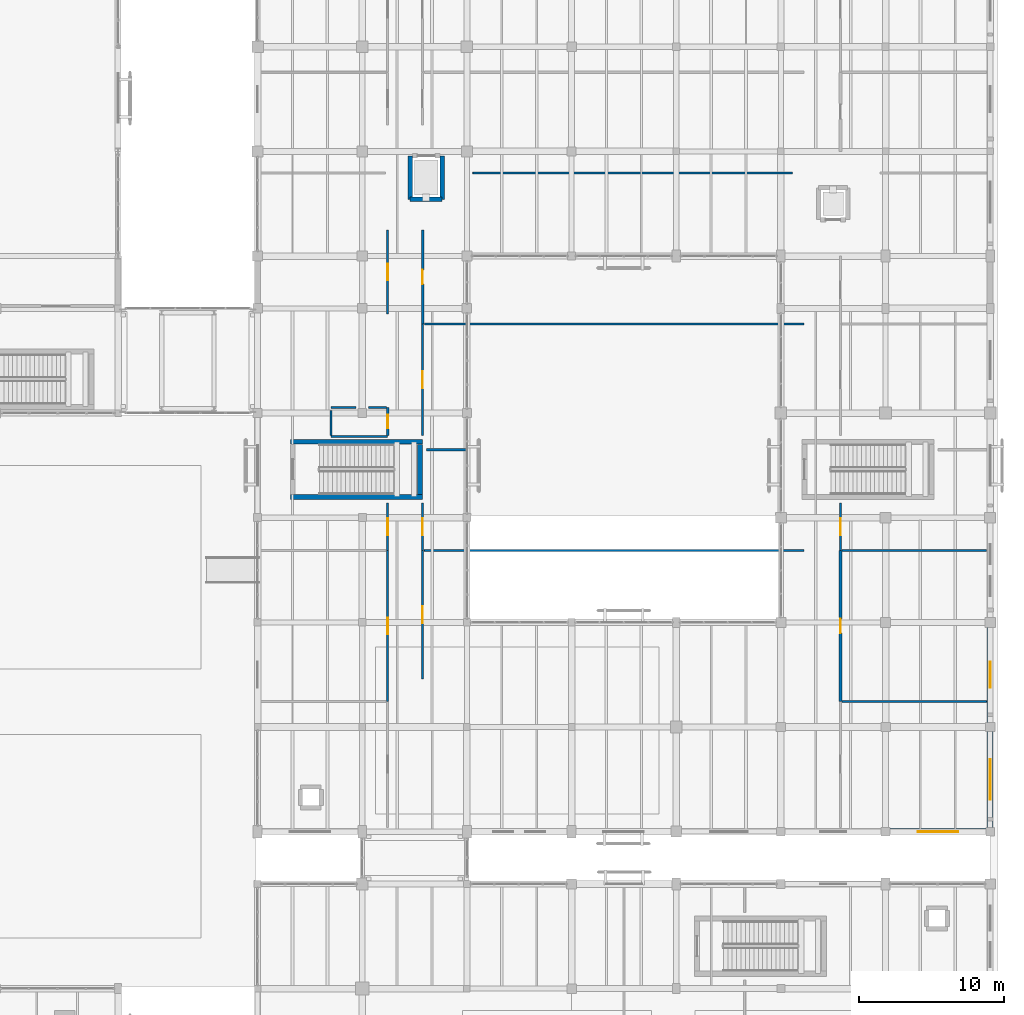
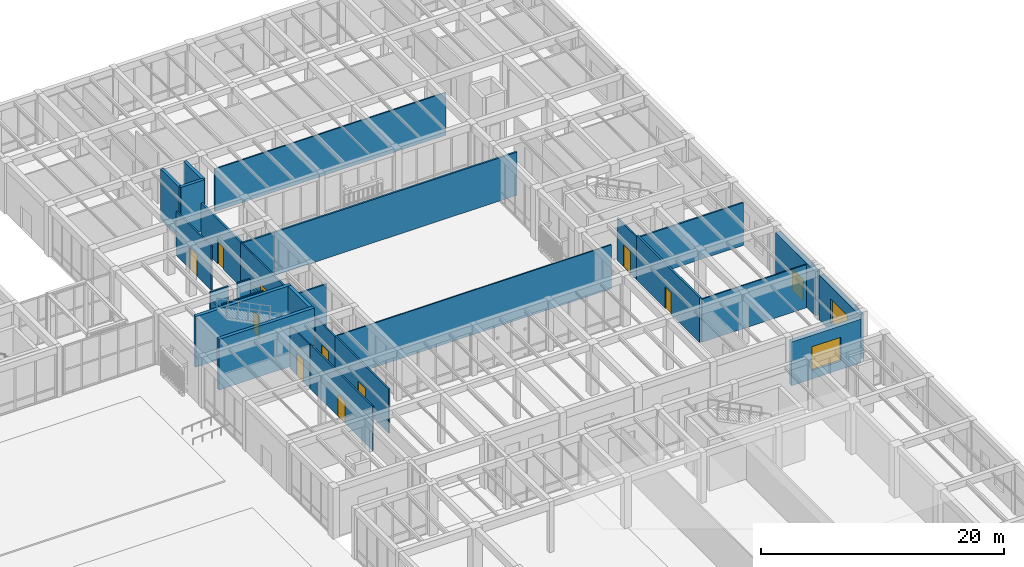
# One storey, part 131 of 169: 30 walls, 11 doors, 2 windows, 13 openings.
"""IFC4 building model written with IfcOpenShell, lengths in metres."""

from ifc_helpers import new_model, si_unit, direction, frame, frame_2d, origin, place, context, subcontext, project, spatial, rectangle, extrude, material, layer, layer_set, type_object, element, fill, save


model = new_model("IFC4")

# Units and contexts
model_context = context("Model", 3, precision=1e-05, world=origin(), true_north=direction((0.0, 1.0)))
body_context = subcontext(model_context, "Body", "Model", "MODEL_VIEW")
ifc_project = project(units=[si_unit("LENGTHUNIT", "METRE"), si_unit("AREAUNIT", "SQUARE_METRE"), si_unit("VOLUMEUNIT", "CUBIC_METRE"), si_unit("PLANEANGLEUNIT", "RADIAN"), si_unit("MASSUNIT", "GRAM", prefix="KILO")], contexts=[model_context])

# Site, building, storey
site_placement = place(None, origin())
site = spatial("IfcSite", under=ifc_project, at=site_placement, CompositionType="ELEMENT")
building_placement = place(site_placement, origin())
building = spatial("IfcBuilding", under=site, at=building_placement, Name="Mazaris Harbour Polytechnic", CompositionType="ELEMENT")
storey_placement = place(building_placement, origin())
storey = spatial("IfcBuildingStorey", under=building, at=storey_placement, Name="L00", CompositionType="ELEMENT", Elevation=0.0)

# Walls
ifc_material_1 = material(Name="Gypsum Board and Mineral Wool")
ifc_layer_1 = layer(ifc_material_1, 0.1201171875, Name="Gypsum Board and Mineral Wool")
ifc_layer_set_1 = layer_set([ifc_layer_1], Name="Gypsum Board and Mineral Wool")
wall_type_1 = type_object("IfcWallType", Name="Acoustic Stud Partition 120", PredefinedType="PARTITIONING", material=ifc_layer_set_1)
wall_1_placement = place(storey_placement, frame((133.8701171875, 66.14599609375, 0.0), z_axis=(0.0, 0.0, 1.0), x_axis=(1.0, 0.0, 0.0)))
element("IfcWall", 1, at=wall_1_placement, inside=storey, type_object=wall_type_1, Name="V5 L00 Partition 555", PredefinedType="PARTITIONING", context=body_context, shape_type="SweptSolid", body=[
    extrude(rectangle(XDim=26.10986328125, YDim=0.1201171875, at=frame_2d((13.054931640625, 0.0))), origin(), (0.0, 0.0, 1.0), 4.449951171875),
])
wall_2_placement = place(storey_placement, frame((137.205078125, 92.117919921875, 0.0), z_axis=(0.0, 0.0, 1.0), x_axis=(1.0, 0.0, 0.0)))
element("IfcWall", 2, at=wall_2_placement, inside=storey, type_object=wall_type_1, Name="V5 L00 Partition 562", PredefinedType="PARTITIONING", context=body_context, shape_type="SweptSolid", body=[
    extrude(rectangle(XDim=21.989990234375, YDim=0.1201171875, at=frame_2d((10.9951171875, 0.0))), origin(), (0.0, 0.0, 1.0), 4.300048828125),
])
wall_3_placement = place(storey_placement, frame((162.6201171875, 55.757080078125, 0.0), z_axis=(0.0, 0.0, 1.0), x_axis=(1.0, 0.0, 0.0)))
element("IfcWall", 3, at=wall_3_placement, inside=storey, type_object=wall_type_1, Name="V5 L00 Partition 567", PredefinedType="PARTITIONING", context=body_context, shape_type="SweptSolid", body=[
    extrude(rectangle(XDim=9.929931640625, YDim=0.1201171875, at=frame_2d((4.96484375, 0.0))), origin(), (0.0, 0.0, 1.0), 4.35009765625),
])
ifc_material_2 = material(Name="Double Gypsum and Mineral Wool")
ifc_layer_2 = layer(ifc_material_2, 0.14990234375, Name="Double Gypsum and Mineral Wool")
ifc_layer_set_2 = layer_set([ifc_layer_2], Name="Double Gypsum and Mineral Wool")
wall_type_2 = type_object("IfcWallType", Name="Classroom Acoustic Partition 150", PredefinedType="PARTITIONING", material=ifc_layer_set_2)
wall_4_placement = place(storey_placement, frame((134.0048828125, 73.072021484375, 0.0), z_axis=(0.0, 0.0, 1.0), x_axis=(1.0, 0.0, 0.0)))
element("IfcWall", 4, at=wall_4_placement, inside=storey, type_object=wall_type_2, Name="V5 L00 Partition 557", PredefinedType="PARTITIONING", context=body_context, shape_type="SweptSolid", body=[
    extrude(rectangle(XDim=2.875, YDim=0.14990234375, at=frame_2d((1.4375, 0.0))), origin(), (0.0, 0.0, 1.0), 4.39990234375),
])
wall_5_placement = place(storey_placement, frame((162.6201171875, 66.14599609375, 0.0), z_axis=(0.0, 0.0, 1.0), x_axis=(1.0, 0.0, 0.0)))
element("IfcWall", 5, at=wall_5_placement, inside=storey, type_object=wall_type_2, Name="V5 L00 Partition 569", PredefinedType="PARTITIONING", context=body_context, shape_type="SweptSolid", body=[
    extrude(rectangle(XDim=9.929931640625, YDim=0.14990234375, at=frame_2d((4.96484375, 0.0))), origin(), (0.0, 0.0, 1.0), 4.300048828125),
])

# Wall, opening, door
ifc_material_3 = material(Name="Terracotta Block and Plaster", Category="masonry")
ifc_layer_3 = layer(ifc_material_3, 0.179931640625, Name="Terracotta Block and Plaster")
ifc_layer_set_3 = layer_set([ifc_layer_3], Name="Terracotta Block and Plaster")
wall_type_3 = type_object("IfcWallType", Name="Corridor Fire Partition 180", PredefinedType="PARTITIONING", material=ifc_layer_set_3)
wall_6_placement = place(storey_placement, frame((133.75, 81.73388671875, 0.0), z_axis=(0.0, 0.0, 1.0), x_axis=(0.0, 1.0, 0.0)))
wall_6 = element("IfcWall", 6, at=wall_6_placement, inside=storey, type_object=wall_type_3, Name="V5 L00 Partition 560", PredefinedType="PARTITIONING", context=body_context, shape_type="SweptSolid", body=[
    extrude(rectangle(XDim=6.461181640625, YDim=0.179931640625, at=frame_2d((3.23046875, 0.0))), origin(), (0.0, 0.0, 1.0), 4.449951171875),
])
opening_1_placement = place(wall_6_placement, frame((2.740478515625, 0.0, 0.0)))
opening_1 = element("IfcOpeningElement", 7, at=opening_1_placement, cuts=wall_6, Name="Opening ID-08L", PredefinedType="OPENING", context=body_context, shape_type="SweptSolid", body=[
    extrude(rectangle(XDim=0.97998046875, YDim=2.179931640625, at=frame_2d((0.489990234375, 1.08984375))), frame((0.0, 0.099853515625, 0.0), z_axis=(0.0, -1.0, 0.0), x_axis=(1.0, 0.0, 0.0)), (0.0, 0.0, 1.0), 0.199951171875),
])
ifc_material_4 = material(Name="Solid Oak Timber", Category="wood")
door_type_1 = type_object("IfcDoorType", Name="Seminar Room Door LH 980x2180", OperationType="SINGLE_SWING_LEFT", PredefinedType="DOOR", material=ifc_material_4)
door_1_placement = place(opening_1_placement, origin())
door_1 = element("IfcDoor", 8, at=door_1_placement, inside=storey, type_object=door_type_1, Name="ID-0269", OperationType="SINGLE_SWING_LEFT", OverallHeight=2.179931640625, OverallWidth=0.97998046875, PredefinedType="DOOR", context=body_context, shape_type="SweptSolid", body=[
    extrude(rectangle(XDim=0.97998046875, YDim=2.179931640625, at=frame_2d((0.489990234375, 1.08984375))), frame((0.0, 0.02490234375, 0.0), z_axis=(0.0, -1.0, 0.0), x_axis=(1.0, 0.0, 0.0)), (0.0, 0.0, 1.0), 0.050048828125),
])
fill(opening_1, door_1)

wall_7_placement = place(storey_placement, frame((162.5, 55.761962890625, 0.0), z_axis=(0.0, 0.0, 1.0), x_axis=(0.0, 1.0, 0.0)))
wall_7 = element("IfcWall", 9, at=wall_7_placement, inside=storey, type_object=wall_type_3, Name="V5 L00 Partition 568", PredefinedType="PARTITIONING", context=body_context, shape_type="SweptSolid", body=[
    extrude(rectangle(XDim=10.384033203125, YDim=0.179931640625, at=frame_2d((5.19189453125, 0.0))), origin(), (0.0, 0.0, 1.0), 4.5),
])
opening_2_placement = place(wall_7_placement, frame((4.701904296875, 0.0, 0.0)))
opening_2 = element("IfcOpeningElement", 10, at=opening_2_placement, cuts=wall_7, Name="Opening ID-08L", PredefinedType="OPENING", context=body_context, shape_type="SweptSolid", body=[
    extrude(rectangle(XDim=0.97998046875, YDim=2.179931640625, at=frame_2d((0.489990234375, 1.08984375))), frame((0.0, 0.099853515625, 0.0), z_axis=(0.0, -1.0, 0.0), x_axis=(1.0, 0.0, 0.0)), (0.0, 0.0, 1.0), 0.199951171875),
])
door_2_placement = place(opening_2_placement, origin())
door_2 = element("IfcDoor", 11, at=door_2_placement, inside=storey, type_object=door_type_1, Name="ID-0273", OperationType="SINGLE_SWING_LEFT", OverallHeight=2.179931640625, OverallWidth=0.97998046875, PredefinedType="DOOR", context=body_context, shape_type="SweptSolid", body=[
    extrude(rectangle(XDim=0.97998046875, YDim=2.179931640625, at=frame_2d((0.489990234375, 1.08984375))), frame((0.0, 0.02490234375, 0.0), z_axis=(0.0, -1.0, 0.0), x_axis=(1.0, 0.0, 0.0)), (0.0, 0.0, 1.0), 0.050048828125),
])
fill(opening_2, door_2)

# Walls
ifc_material_5 = material(Name="Fireboard and Mineral Wool")
ifc_layer_4 = layer(ifc_material_5, 0.1650390625, Name="Fireboard and Mineral Wool")
ifc_layer_set_4 = layer_set([ifc_layer_4], Name="Fireboard and Mineral Wool")
wall_type_4 = type_object("IfcWallType", Name="Laboratory Rated Partition 165", PredefinedType="PARTITIONING", material=ifc_layer_set_4)
wall_8_placement = place(storey_placement, frame((133.8701171875, 81.72900390625, 0.0), z_axis=(0.0, 0.0, 1.0), x_axis=(1.0, 0.0, 0.0)))
element("IfcWall", 12, at=wall_8_placement, inside=storey, type_object=wall_type_4, Name="V5 L00 Partition 559", PredefinedType="PARTITIONING", context=body_context, shape_type="SweptSolid", body=[
    extrude(rectangle(XDim=3.009765625, YDim=0.1650390625, at=frame_2d((1.5048828125, 0.0))), origin(), (0.0, 0.0, 1.0), 4.35009765625),
])
wall_9_placement = place(storey_placement, frame((136.885009765625, 81.72900390625, 0.0), z_axis=(0.0, 0.0, 1.0), x_axis=(1.0, 0.0, 0.0)))
element("IfcWall", 13, at=wall_9_placement, inside=storey, type_object=wall_type_4, Name="V5 L00 Partition 561", PredefinedType="PARTITIONING", context=body_context, shape_type="SweptSolid", body=[
    extrude(rectangle(XDim=23.094970703125, YDim=0.1650390625, at=frame_2d((11.54736328125, 0.0))), origin(), (0.0, 0.0, 1.0), 4.35009765625),
])

# Wall, opening, door
ifc_material_6 = material(Name="Moisture-Resistant Blockwork", Category="masonry")
ifc_layer_5 = layer(ifc_material_6, 0.175048828125, Name="Moisture-Resistant Blockwork")
ifc_layer_set_5 = layer_set([ifc_layer_5], Name="Moisture-Resistant Blockwork")
wall_type_5 = type_object("IfcWallType", Name="Laboratory Wet Service Wall 175", PredefinedType="PLUMBINGWALL", material=ifc_layer_set_5)
wall_10_placement = place(storey_placement, frame((131.35009765625, 74.054931640625, 0.0), z_axis=(0.0, 0.0, 1.0), x_axis=(0.0, 1.0, 0.0)))
wall_10 = element("IfcWall", 14, at=wall_10_placement, inside=storey, type_object=wall_type_5, Name="V5 L00 Partition 542", PredefinedType="PLUMBINGWALL", context=body_context, shape_type="SweptSolid", body=[
    extrude(rectangle(XDim=1.925048828125, YDim=0.175048828125, at=frame_2d((0.96240234375, 0.0))), origin(), (0.0, 0.0, 1.0), 4.39990234375),
])
opening_3_placement = place(wall_10_placement, frame((0.512451171875, 0.0, 0.0)))
opening_3 = element("IfcOpeningElement", 15, at=opening_3_placement, cuts=wall_10, Name="Opening ID-07R", PredefinedType="OPENING", context=body_context, shape_type="SweptSolid", body=[
    extrude(rectangle(XDim=0.89990234375, YDim=2.10009765625, at=frame_2d((0.449951171875, 1.050048828125))), frame((0.0, 0.097412109375, 0.0), z_axis=(0.0, -1.0, 0.0), x_axis=(1.0, 0.0, 0.0)), (0.0, 0.0, 1.0), 0.195068359375),
])
ifc_material_7 = material(Name="Moisture-Resistant Laminate Timber", Category="wood")
door_type_2 = type_object("IfcDoorType", Name="Sanitary Room Door RH 900x2100", OperationType="SINGLE_SWING_RIGHT", PredefinedType="DOOR", material=ifc_material_7)
door_3_placement = place(opening_3_placement, origin())
door_3 = element("IfcDoor", 16, at=door_3_placement, inside=storey, type_object=door_type_2, Name="ID-0259", OperationType="SINGLE_SWING_RIGHT", OverallHeight=2.10009765625, OverallWidth=0.89990234375, PredefinedType="DOOR", context=body_context, shape_type="SweptSolid", body=[
    extrude(rectangle(XDim=0.89990234375, YDim=2.10009765625, at=frame_2d((0.449951171875, 1.050048828125))), frame((0.0, 0.02490234375, 0.0), z_axis=(0.0, -1.0, 0.0), x_axis=(1.0, 0.0, 0.0)), (0.0, 0.0, 1.0), 0.050048828125),
])
fill(opening_3, door_3)

# Wall, opening, window
ifc_material_8 = material(Name="Algerian Buff Limestone and Concrete C35/45", Category="masonry")
ifc_layer_6 = layer(ifc_material_8, 0.409912109375, Name="Algerian Buff Limestone and Concrete C35/45")
ifc_layer_set_6 = layer_set([ifc_layer_6], Name="Algerian Buff Limestone and Concrete C35/45")
wall_type_6 = type_object("IfcWallType", Name="Limestone Rusticated Base Wall 410", PredefinedType="STANDARD", material=ifc_layer_set_6)
wall_11_placement = place(storey_placement, frame((172.508056640625, 46.800048828125, 0.0), z_axis=(0.0, 0.0, 1.0), x_axis=(-1.0, 0.0, 0.0)))
wall_11 = element("IfcWall", 17, at=wall_11_placement, inside=storey, type_object=wall_type_6, Name="V5 L00 Exterior Wall 294", PredefinedType="STANDARD", context=body_context, shape_type="SweptSolid", body=[
    extrude(rectangle(XDim=6.615966796875, YDim=0.409912109375, at=frame_2d((3.30810546875, 0.0))), origin(), (0.0, 0.0, 1.0), 4.39990234375),
])
opening_4_placement = place(wall_11_placement, frame((1.907958984375, 0.0, 0.85009765625)))
opening_4 = element("IfcOpeningElement", 18, at=opening_4_placement, cuts=wall_11, Name="Opening WN-09", PredefinedType="OPENING", context=body_context, shape_type="SweptSolid", body=[
    extrude(rectangle(XDim=2.800048828125, YDim=2.39990234375, at=frame_2d((1.39990234375, 1.199951171875))), frame((0.0, 0.21484375, 0.0), z_axis=(0.0, -1.0, 0.0), x_axis=(1.0, 0.0, 0.0)), (0.0, 0.0, 1.0), 0.429931640625),
])
ifc_material_9 = material(Name="Thermally Broken Bronze Aluminium and Low-E Glass", Category="aluminium")
window_type = type_object("IfcWindowType", Name="Studio North Window 2800x2400", PartitioningType="DOUBLE_PANEL_VERTICAL", PredefinedType="WINDOW", material=ifc_material_9)
window_1_placement = place(opening_4_placement, origin())
window_1 = element("IfcWindow", 19, at=window_1_placement, inside=storey, type_object=window_type, Name="WN-0353", OverallHeight=2.39990234375, OverallWidth=2.800048828125, PartitioningType="DOUBLE_PANEL_VERTICAL", PredefinedType="WINDOW", context=body_context, shape_type="SweptSolid", body=[
    extrude(rectangle(XDim=2.800048828125, YDim=2.39990234375, at=frame_2d((1.39990234375, 1.199951171875))), frame((0.0, 0.030029296875, 0.0), z_axis=(0.0, -1.0, 0.0), x_axis=(1.0, 0.0, 0.0)), (0.0, 0.0, 1.0), 0.06005859375),
])
fill(opening_4, window_1)

wall_12_placement = place(storey_placement, frame((172.800048828125, 53.68310546875, 0.0), z_axis=(0.0, 0.0, 1.0), x_axis=(0.0, -1.0, 0.0)))
wall_12 = element("IfcWall", 20, at=wall_12_placement, inside=storey, type_object=wall_type_6, Name="V5 L00 Exterior Wall 302", PredefinedType="STANDARD", context=body_context, shape_type="SweptSolid", body=[
    extrude(rectangle(XDim=6.591064453125, YDim=0.409912109375, at=frame_2d((3.29541015625, 0.0))), origin(), (0.0, 0.0, 1.0), 4.5),
])
opening_5_placement = place(wall_12_placement, frame((1.8955078125, 0.0, 0.85009765625)))
opening_5 = element("IfcOpeningElement", 21, at=opening_5_placement, cuts=wall_12, Name="Opening WN-09", PredefinedType="OPENING", context=body_context, shape_type="SweptSolid", body=[
    extrude(rectangle(XDim=2.800048828125, YDim=2.39990234375, at=frame_2d((1.39990234375, 1.199951171875))), frame((0.0, 0.21484375, 0.0), z_axis=(0.0, -1.0, 0.0), x_axis=(1.0, 0.0, 0.0)), (0.0, 0.0, 1.0), 0.429931640625),
])
window_2_placement = place(opening_5_placement, origin())
window_2 = element("IfcWindow", 22, at=window_2_placement, inside=storey, type_object=window_type, Name="WN-0356", OverallHeight=2.39990234375, OverallWidth=2.800048828125, PartitioningType="DOUBLE_PANEL_VERTICAL", PredefinedType="WINDOW", context=body_context, shape_type="SweptSolid", body=[
    extrude(rectangle(XDim=2.800048828125, YDim=2.39990234375, at=frame_2d((1.39990234375, 1.199951171875))), frame((0.0, 0.030029296875, 0.0), z_axis=(0.0, -1.0, 0.0), x_axis=(1.0, 0.0, 0.0)), (0.0, 0.0, 1.0), 0.06005859375),
])
fill(opening_5, window_2)

# Wall, opening, door
wall_13_placement = place(storey_placement, frame((172.800048828125, 60.85791015625, 0.0), z_axis=(0.0, 0.0, 1.0), x_axis=(0.0, -1.0, 0.0)))
wall_13 = element("IfcWall", 23, at=wall_13_placement, inside=storey, type_object=wall_type_6, Name="V5 L00 Exterior Wall 303", PredefinedType="STANDARD", context=body_context, shape_type="SweptSolid", body=[
    extrude(rectangle(XDim=6.541015625, YDim=0.409912109375, at=frame_2d((3.2705078125, 0.0))), origin(), (0.0, 0.0, 1.0), 4.449951171875),
])
opening_6_placement = place(wall_13_placement, frame((2.37060546875, 0.0, 0.0)))
opening_6 = element("IfcOpeningElement", 24, at=opening_6_placement, cuts=wall_13, Name="Opening ED-03", PredefinedType="OPENING", context=body_context, shape_type="SweptSolid", body=[
    extrude(rectangle(XDim=1.800048828125, YDim=2.199951171875, at=frame_2d((0.89990234375, 1.10009765625))), frame((0.0, 0.21484375, 0.0), z_axis=(0.0, -1.0, 0.0), x_axis=(1.0, 0.0, 0.0)), (0.0, 0.0, 1.0), 0.429931640625),
])
ifc_material_10 = material(Name="Anodised Bronze Steel and Laminated Safety Glass", Category="steel")
door_type_3 = type_object("IfcDoorType", Name="Perimeter Final Exit Door 1800x2200", OperationType="DOUBLE_DOOR_SINGLE_SWING", PredefinedType="DOOR", material=ifc_material_10)
door_4_placement = place(opening_6_placement, origin())
door_4 = element("IfcDoor", 25, at=door_4_placement, inside=storey, type_object=door_type_3, Name="EXD-034", OperationType="DOUBLE_DOOR_SINGLE_SWING", OverallHeight=2.199951171875, OverallWidth=1.800048828125, PredefinedType="DOOR", context=body_context, shape_type="SweptSolid", body=[
    extrude(rectangle(XDim=1.800048828125, YDim=2.199951171875, at=frame_2d((0.89990234375, 1.10009765625))), frame((0.0, 0.02490234375, 0.0), z_axis=(0.0, -1.0, 0.0), x_axis=(1.0, 0.0, 0.0)), (0.0, 0.0, 1.0), 0.050048828125),
])
fill(opening_6, door_4)

# Walls
ifc_material_11 = material(Name="Concrete C40/50", Category="concrete")
ifc_layer_7 = layer(ifc_material_11, 0.324951171875, Name="Concrete C40/50")
ifc_layer_set_7 = layer_set([ifc_layer_7], Name="Concrete C40/50")
wall_type_7 = type_object("IfcWallType", Name="RC Core Shear Wall 325", PredefinedType="SHEAR", material=ifc_layer_set_7)
for number, where, z_axis, x_axis, name in (
    (26, (124.64990234375, 69.824951171875, 0.0), (0.0, 0.0, 1.0), (1.0, 0.0, 0.0), "Core ST09 L00 Shear Wall S"),
    (27, (133.75, 73.625, 0.0), (0.0, 0.0, 1.0), (-1.0, 0.0, 0.0), "Core ST09 L00 Shear Wall N"),
):
    element("IfcWall", number, at=place(storey_placement, frame(where, z_axis=z_axis, x_axis=x_axis)), inside=storey, type_object=wall_type_7, Name=name, PredefinedType="SHEAR", context=body_context, shape_type="SweptSolid", body=[
        extrude(rectangle(XDim=9.10009765625, YDim=0.324951171875, at=frame_2d((4.550048828125, 0.0))), origin(), (0.0, 0.0, 1.0), 5.10009765625),
    ])
wall_14_placement = place(storey_placement, frame((133.574951171875, 70.0, 0.0), z_axis=(0.0, 0.0, 1.0), x_axis=(0.0, 1.0, 0.0)))
element("IfcWall", 28, at=wall_14_placement, inside=storey, type_object=wall_type_7, Name="Core ST09 L00 Shear Wall E", PredefinedType="SHEAR", context=body_context, shape_type="SweptSolid", body=[
    extrude(rectangle(XDim=3.449951171875, YDim=0.324951171875, at=frame_2d((1.72509765625, 0.0))), origin(), (0.0, 0.0, 1.0), 5.10009765625),
])
ifc_material_12 = material(Name="Concrete C40/50", Category="concrete")
ifc_layer_8 = layer(ifc_material_12, 0.300048828125, Name="Concrete C40/50")
ifc_layer_set_8 = layer_set([ifc_layer_8], Name="Concrete C40/50")
wall_type_8 = type_object("IfcWallType", Name="RC Lift Shaft Wall 300", PredefinedType="SHEAR", material=ifc_layer_set_8)
wall_15_placement = place(storey_placement, frame((132.89990234375, 90.300048828125, 0.0), z_axis=(0.0, 0.0, 1.0), x_axis=(1.0, 0.0, 0.0)))
element("IfcWall", 29, at=wall_15_placement, inside=storey, type_object=wall_type_8, Name="Lift LF-02 L00 South Shaft Wall", PredefinedType="SHEAR", context=body_context, shape_type="SweptSolid", body=[
    extrude(rectangle(XDim=2.2001953125, YDim=0.300048828125, at=frame_2d((1.10009765625, 0.0))), origin(), (0.0, 0.0, 1.0), 5.10009765625),
])
for number, where, z_axis, x_axis, name in (
    (30, (132.89990234375, 93.300048828125, 0.0), (0.0, 0.0, 1.0), (0.0, -1.0, 0.0), "Lift LF-02 L00 West Shaft Wall"),
    (31, (135.10009765625, 90.300048828125, 0.0), (0.0, 0.0, 1.0), (0.0, 1.0, 0.0), "Lift LF-02 L00 East Shaft Wall"),
):
    element("IfcWall", number, at=place(storey_placement, frame(where, z_axis=z_axis, x_axis=x_axis)), inside=storey, type_object=wall_type_8, Name=name, PredefinedType="SHEAR", context=body_context, shape_type="SweptSolid", body=[
        extrude(rectangle(XDim=3.0, YDim=0.300048828125, at=frame_2d((1.5, 0.0))), origin(), (0.0, 0.0, 1.0), 5.10009765625),
    ])
ifc_material_13 = material(Name="Moisture-Resistant Gypsum and Steel Stud", Category="steel")
ifc_layer_9 = layer(ifc_material_13, 0.14501953125, Name="Moisture-Resistant Gypsum and Steel Stud")
ifc_layer_set_9 = layer_set([ifc_layer_9], Name="Moisture-Resistant Gypsum and Steel Stud")
wall_type_9 = type_object("IfcWallType", Name="Sanitary Plumbing Wall 145", PredefinedType="PLUMBINGWALL", material=ifc_layer_set_9)
wall_16_placement = place(storey_placement, frame((127.449951171875, 74.054931640625, 0.0), z_axis=(0.0, 0.0, 1.0), x_axis=(0.0, 1.0, 0.0)))
element("IfcWall", 32, at=wall_16_placement, inside=storey, type_object=wall_type_9, Name="V5 L00 Partition 543", PredefinedType="PLUMBINGWALL", context=body_context, shape_type="SweptSolid", body=[
    extrude(rectangle(XDim=1.72509765625, YDim=0.14501953125, at=frame_2d((0.862548828125, 0.0))), origin(), (0.0, 0.0, 1.0), 4.449951171875),
])
wall_17_placement = place(storey_placement, frame((127.455078125, 73.97509765625, 0.0), z_axis=(0.0, 0.0, 1.0), x_axis=(1.0, 0.0, 0.0)))
element("IfcWall", 33, at=wall_17_placement, inside=storey, type_object=wall_type_9, Name="V5 L00 Sanitary Partition 729", PredefinedType="PLUMBINGWALL", context=body_context, shape_type="SweptSolid", body=[
    extrude(rectangle(XDim=3.889892578125, YDim=0.14501953125, at=frame_2d((1.94482421875, 0.0))), origin(), (0.0, 0.0, 1.0), 5.10009765625),
])
wall_18_placement = place(storey_placement, frame((127.455078125, 75.97509765625, 0.0), z_axis=(0.0, 0.0, 1.0), x_axis=(1.0, 0.0, 0.0)))
element("IfcWall", 34, at=wall_18_placement, inside=storey, type_object=wall_type_9, Name="V5 L00 Sanitary Partition 730", PredefinedType="PLUMBINGWALL", context=body_context, shape_type="SweptSolid", body=[
    extrude(rectangle(XDim=1.724853515625, YDim=0.14501953125, at=frame_2d((0.8623046875, 0.0))), origin(), (0.0, 0.0, 1.0), 5.10009765625),
])
wall_19_placement = place(storey_placement, frame((130.02001953125, 75.97509765625, 0.0), z_axis=(0.0, 0.0, 1.0), x_axis=(1.0, 0.0, 0.0)))
element("IfcWall", 35, at=wall_19_placement, inside=storey, type_object=wall_type_9, Name="V5 L00 Sanitary Partition 731", PredefinedType="PLUMBINGWALL", context=body_context, shape_type="SweptSolid", body=[
    extrude(rectangle(XDim=1.232421875, YDim=0.14501953125, at=frame_2d((0.6162109375, 0.0))), origin(), (0.0, 0.0, 1.0), 5.10009765625),
])

# Wall, opening, door
ifc_material_14 = material(Name="Gypsum Board and Mineral Wool")
ifc_layer_10 = layer(ifc_material_14, 0.135009765625, Name="Gypsum Board and Mineral Wool")
ifc_layer_set_10 = layer_set([ifc_layer_10], Name="Gypsum Board and Mineral Wool")
wall_type_10 = type_object("IfcWallType", Name="Studio Partition Wall 135", PredefinedType="PARTITIONING", material=ifc_layer_set_10)
wall_20_placement = place(storey_placement, frame((131.35009765625, 55.761962890625, 0.0), z_axis=(0.0, 0.0, 1.0), x_axis=(0.0, 1.0, 0.0)))
wall_20 = element("IfcWall", 36, at=wall_20_placement, inside=storey, type_object=wall_type_10, Name="V5 L00 Partition 546", PredefinedType="PARTITIONING", context=body_context, shape_type="SweptSolid", body=[
    extrude(rectangle(XDim=10.384033203125, YDim=0.135009765625, at=frame_2d((5.19189453125, 0.0))), origin(), (0.0, 0.0, 1.0), 4.449951171875),
])
opening_7_placement = place(wall_20_placement, frame((4.616943359375, 0.0, 0.0)))
opening_7 = element("IfcOpeningElement", 37, at=opening_7_placement, cuts=wall_20, Name="Opening ID-03L", PredefinedType="OPENING", context=body_context, shape_type="SweptSolid", body=[
    extrude(rectangle(XDim=1.14990234375, YDim=2.199951171875, at=frame_2d((0.574951171875, 1.10009765625))), frame((0.0, 0.077392578125, 0.0), z_axis=(0.0, -1.0, 0.0), x_axis=(1.0, 0.0, 0.0)), (0.0, 0.0, 1.0), 0.155029296875),
])
ifc_material_15 = material(Name="Glulam Timber and Acoustic Glass", Category="wood")
door_type_4 = type_object("IfcDoorType", Name="Design Studio Door LH 1150x2200", OperationType="SINGLE_SWING_LEFT", PredefinedType="DOOR", material=ifc_material_15)
door_5_placement = place(opening_7_placement, origin())
door_5 = element("IfcDoor", 38, at=door_5_placement, inside=storey, type_object=door_type_4, Name="ID-0261", OperationType="SINGLE_SWING_LEFT", OverallHeight=2.199951171875, OverallWidth=1.14990234375, PredefinedType="DOOR", context=body_context, shape_type="SweptSolid", body=[
    extrude(rectangle(XDim=1.14990234375, YDim=2.199951171875, at=frame_2d((0.574951171875, 1.10009765625))), frame((0.0, 0.02490234375, 0.0), z_axis=(0.0, -1.0, 0.0), x_axis=(1.0, 0.0, 0.0)), (0.0, 0.0, 1.0), 0.050048828125),
])
fill(opening_7, door_5)

wall_21_placement = place(storey_placement, frame((131.35009765625, 66.15087890625, 0.0), z_axis=(0.0, 0.0, 1.0), x_axis=(0.0, 1.0, 0.0)))
wall_21 = element("IfcWall", 39, at=wall_21_placement, inside=storey, type_object=wall_type_10, Name="V5 L00 Partition 548", PredefinedType="PARTITIONING", context=body_context, shape_type="SweptSolid", body=[
    extrude(rectangle(XDim=3.244140625, YDim=0.135009765625, at=frame_2d((1.6220703125, 0.0))), origin(), (0.0, 0.0, 1.0), 4.35009765625),
])
opening_8_placement = place(wall_21_placement, frame((1.0419921875, 0.0, 0.0)))
opening_8 = element("IfcOpeningElement", 40, at=opening_8_placement, cuts=wall_21, Name="Opening ID-03R", PredefinedType="OPENING", context=body_context, shape_type="SweptSolid", body=[
    extrude(rectangle(XDim=1.159912109375, YDim=2.199951171875, at=frame_2d((0.580078125, 1.10009765625))), frame((0.0, 0.077392578125, 0.0), z_axis=(0.0, -1.0, 0.0), x_axis=(1.0, 0.0, 0.0)), (0.0, 0.0, 1.0), 0.155029296875),
])
ifc_material_16 = material(Name="Glulam Timber and Acoustic Glass", Category="wood")
door_type_5 = type_object("IfcDoorType", Name="Design Studio Door RH 1160x2200", OperationType="SINGLE_SWING_RIGHT", PredefinedType="DOOR", material=ifc_material_16)
door_6_placement = place(opening_8_placement, origin())
door_6 = element("IfcDoor", 41, at=door_6_placement, inside=storey, type_object=door_type_5, Name="ID-0262", OperationType="SINGLE_SWING_RIGHT", OverallHeight=2.199951171875, OverallWidth=1.159912109375, PredefinedType="DOOR", context=body_context, shape_type="SweptSolid", body=[
    extrude(rectangle(XDim=1.159912109375, YDim=2.199951171875, at=frame_2d((0.580078125, 1.10009765625))), frame((0.0, 0.02490234375, 0.0), z_axis=(0.0, -1.0, 0.0), x_axis=(1.0, 0.0, 0.0)), (0.0, 0.0, 1.0), 0.050048828125),
])
fill(opening_8, door_6)

wall_22_placement = place(storey_placement, frame((131.35009765625, 82.419921875, 0.0), z_axis=(0.0, 0.0, 1.0), x_axis=(0.0, 1.0, 0.0)))
wall_22 = element("IfcWall", 42, at=wall_22_placement, inside=storey, type_object=wall_type_10, Name="V5 L00 Partition 549", PredefinedType="PARTITIONING", context=body_context, shape_type="SweptSolid", body=[
    extrude(rectangle(XDim=5.775146484375, YDim=0.135009765625, at=frame_2d((2.8876953125, 0.0))), origin(), (0.0, 0.0, 1.0), 4.449951171875),
])
opening_9_placement = place(wall_22_placement, frame((2.3076171875, 0.0, 0.0)))
opening_9 = element("IfcOpeningElement", 43, at=opening_9_placement, cuts=wall_22, Name="Opening ID-03R", PredefinedType="OPENING", context=body_context, shape_type="SweptSolid", body=[
    extrude(rectangle(XDim=1.159912109375, YDim=2.199951171875, at=frame_2d((0.580078125, 1.10009765625))), frame((0.0, 0.077392578125, 0.0), z_axis=(0.0, -1.0, 0.0), x_axis=(1.0, 0.0, 0.0)), (0.0, 0.0, 1.0), 0.155029296875),
])
door_7_placement = place(opening_9_placement, origin())
door_7 = element("IfcDoor", 44, at=door_7_placement, inside=storey, type_object=door_type_5, Name="ID-0263", OperationType="SINGLE_SWING_RIGHT", OverallHeight=2.199951171875, OverallWidth=1.159912109375, PredefinedType="DOOR", context=body_context, shape_type="SweptSolid", body=[
    extrude(rectangle(XDim=1.159912109375, YDim=2.199951171875, at=frame_2d((0.580078125, 1.10009765625))), frame((0.0, 0.02490234375, 0.0), z_axis=(0.0, -1.0, 0.0), x_axis=(1.0, 0.0, 0.0)), (0.0, 0.0, 1.0), 0.050048828125),
])
fill(opening_9, door_7)

wall_23_placement = place(storey_placement, frame((133.75, 57.320068359375, 0.0), z_axis=(0.0, 0.0, 1.0), x_axis=(0.0, 1.0, 0.0)))
wall_23 = element("IfcWall", 45, at=wall_23_placement, inside=storey, type_object=wall_type_10, Name="V5 L00 Partition 554", PredefinedType="PARTITIONING", context=body_context, shape_type="SweptSolid", body=[
    extrude(rectangle(XDim=8.825927734375, YDim=0.135009765625, at=frame_2d((4.4130859375, 0.0))), origin(), (0.0, 0.0, 1.0), 4.449951171875),
])
opening_10_placement = place(wall_23_placement, frame((3.8330078125, 0.0, 0.0)))
opening_10 = element("IfcOpeningElement", 46, at=opening_10_placement, cuts=wall_23, Name="Opening ID-03R", PredefinedType="OPENING", context=body_context, shape_type="SweptSolid", body=[
    extrude(rectangle(XDim=1.159912109375, YDim=2.199951171875, at=frame_2d((0.580078125, 1.10009765625))), frame((0.0, 0.077392578125, 0.0), z_axis=(0.0, -1.0, 0.0), x_axis=(1.0, 0.0, 0.0)), (0.0, 0.0, 1.0), 0.155029296875),
])
door_8_placement = place(opening_10_placement, origin())
door_8 = element("IfcDoor", 47, at=door_8_placement, inside=storey, type_object=door_type_5, Name="ID-0266", OperationType="SINGLE_SWING_RIGHT", OverallHeight=2.199951171875, OverallWidth=1.159912109375, PredefinedType="DOOR", context=body_context, shape_type="SweptSolid", body=[
    extrude(rectangle(XDim=1.159912109375, YDim=2.199951171875, at=frame_2d((0.580078125, 1.10009765625))), frame((0.0, 0.02490234375, 0.0), z_axis=(0.0, -1.0, 0.0), x_axis=(1.0, 0.0, 0.0)), (0.0, 0.0, 1.0), 0.050048828125),
])
fill(opening_10, door_8)

wall_24_placement = place(storey_placement, frame((133.75, 66.15087890625, 0.0), z_axis=(0.0, 0.0, 1.0), x_axis=(0.0, 1.0, 0.0)))
wall_24 = element("IfcWall", 48, at=wall_24_placement, inside=storey, type_object=wall_type_10, Name="V5 L00 Partition 556", PredefinedType="PARTITIONING", context=body_context, shape_type="SweptSolid", body=[
    extrude(rectangle(XDim=3.244140625, YDim=0.135009765625, at=frame_2d((1.6220703125, 0.0))), origin(), (0.0, 0.0, 1.0), 4.35009765625),
])
opening_11_placement = place(wall_24_placement, frame((1.047119140625, 0.0, 0.0)))
opening_11 = element("IfcOpeningElement", 49, at=opening_11_placement, cuts=wall_24, Name="Opening ID-03L", PredefinedType="OPENING", context=body_context, shape_type="SweptSolid", body=[
    extrude(rectangle(XDim=1.14990234375, YDim=2.199951171875, at=frame_2d((0.574951171875, 1.10009765625))), frame((0.0, 0.077392578125, 0.0), z_axis=(0.0, -1.0, 0.0), x_axis=(1.0, 0.0, 0.0)), (0.0, 0.0, 1.0), 0.155029296875),
])
door_9_placement = place(opening_11_placement, origin())
door_9 = element("IfcDoor", 50, at=door_9_placement, inside=storey, type_object=door_type_4, Name="ID-0267", OperationType="SINGLE_SWING_LEFT", OverallHeight=2.199951171875, OverallWidth=1.14990234375, PredefinedType="DOOR", context=body_context, shape_type="SweptSolid", body=[
    extrude(rectangle(XDim=1.14990234375, YDim=2.199951171875, at=frame_2d((0.574951171875, 1.10009765625))), frame((0.0, 0.02490234375, 0.0), z_axis=(0.0, -1.0, 0.0), x_axis=(1.0, 0.0, 0.0)), (0.0, 0.0, 1.0), 0.050048828125),
])
fill(opening_11, door_9)

wall_25_placement = place(storey_placement, frame((133.75, 74.054931640625, 0.0), z_axis=(0.0, 0.0, 1.0), x_axis=(0.0, 1.0, 0.0)))
wall_25 = element("IfcWall", 51, at=wall_25_placement, inside=storey, type_object=wall_type_10, Name="V5 L00 Partition 558", PredefinedType="PARTITIONING", context=body_context, shape_type="SweptSolid", body=[
    extrude(rectangle(XDim=7.674072265625, YDim=0.135009765625, at=frame_2d((3.8369140625, 0.0))), origin(), (0.0, 0.0, 1.0), 4.39990234375),
])
opening_12_placement = place(wall_25_placement, frame((3.257080078125, 0.0, 0.0)))
opening_12 = element("IfcOpeningElement", 52, at=opening_12_placement, cuts=wall_25, Name="Opening ID-03R", PredefinedType="OPENING", context=body_context, shape_type="SweptSolid", body=[
    extrude(rectangle(XDim=1.159912109375, YDim=2.199951171875, at=frame_2d((0.580078125, 1.10009765625))), frame((0.0, 0.077392578125, 0.0), z_axis=(0.0, -1.0, 0.0), x_axis=(1.0, 0.0, 0.0)), (0.0, 0.0, 1.0), 0.155029296875),
])
door_10_placement = place(opening_12_placement, origin())
door_10 = element("IfcDoor", 53, at=door_10_placement, inside=storey, type_object=door_type_5, Name="ID-0268", OperationType="SINGLE_SWING_RIGHT", OverallHeight=2.199951171875, OverallWidth=1.159912109375, PredefinedType="DOOR", context=body_context, shape_type="SweptSolid", body=[
    extrude(rectangle(XDim=1.159912109375, YDim=2.199951171875, at=frame_2d((0.580078125, 1.10009765625))), frame((0.0, 0.02490234375, 0.0), z_axis=(0.0, -1.0, 0.0), x_axis=(1.0, 0.0, 0.0)), (0.0, 0.0, 1.0), 0.050048828125),
])
fill(opening_12, door_10)

wall_26_placement = place(storey_placement, frame((162.5, 66.15087890625, 0.0), z_axis=(0.0, 0.0, 1.0), x_axis=(0.0, 1.0, 0.0)))
wall_26 = element("IfcWall", 54, at=wall_26_placement, inside=storey, type_object=wall_type_10, Name="V5 L00 Partition 570", PredefinedType="PARTITIONING", context=body_context, shape_type="SweptSolid", body=[
    extrude(rectangle(XDim=3.244140625, YDim=0.135009765625, at=frame_2d((1.6220703125, 0.0))), origin(), (0.0, 0.0, 1.0), 4.300048828125),
])
opening_13_placement = place(wall_26_placement, frame((1.0419921875, 0.0, 0.0)))
opening_13 = element("IfcOpeningElement", 55, at=opening_13_placement, cuts=wall_26, Name="Opening ID-03R", PredefinedType="OPENING", context=body_context, shape_type="SweptSolid", body=[
    extrude(rectangle(XDim=1.159912109375, YDim=2.199951171875, at=frame_2d((0.580078125, 1.10009765625))), frame((0.0, 0.077392578125, 0.0), z_axis=(0.0, -1.0, 0.0), x_axis=(1.0, 0.0, 0.0)), (0.0, 0.0, 1.0), 0.155029296875),
])
door_11_placement = place(opening_13_placement, origin())
door_11 = element("IfcDoor", 56, at=door_11_placement, inside=storey, type_object=door_type_5, Name="ID-0274", OperationType="SINGLE_SWING_RIGHT", OverallHeight=2.199951171875, OverallWidth=1.159912109375, PredefinedType="DOOR", context=body_context, shape_type="SweptSolid", body=[
    extrude(rectangle(XDim=1.159912109375, YDim=2.199951171875, at=frame_2d((0.580078125, 1.10009765625))), frame((0.0, 0.02490234375, 0.0), z_axis=(0.0, -1.0, 0.0), x_axis=(1.0, 0.0, 0.0)), (0.0, 0.0, 1.0), 0.050048828125),
])
fill(opening_13, door_11)

save(model, "model.ifc")
